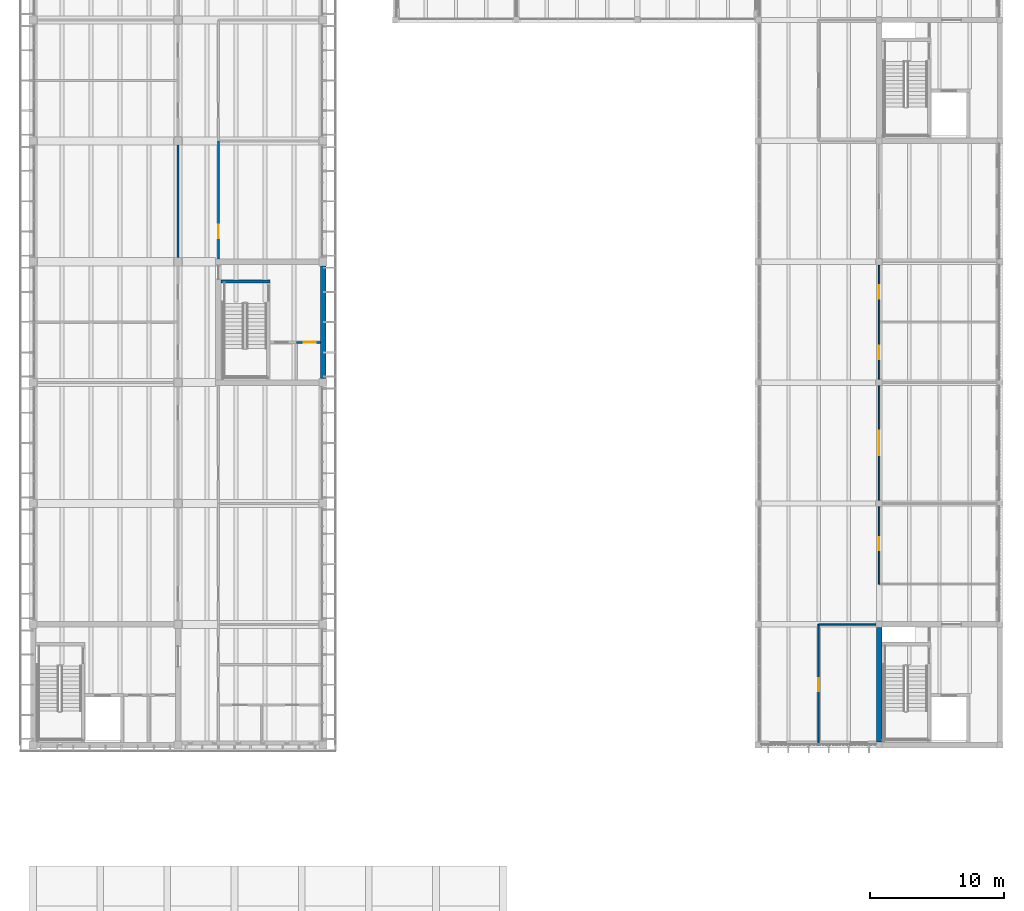
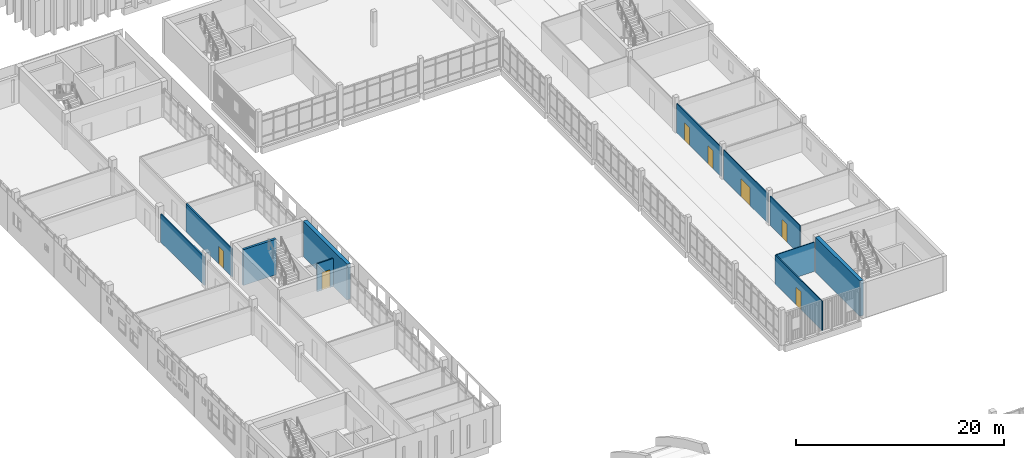
# One storey, part 53 of 88: 11 walls, 7 doors, 7 openings.
"""IFC4 building model written with IfcOpenShell, lengths in metres."""

from ifc_helpers import new_model, si_unit, direction, frame, frame_2d, origin, place, context, subcontext, project, spatial, rectangle, extrude, material, layer, layer_set, type_object, element, fill, save


model = new_model("IFC4")

# Units and contexts
model_context = context("Model", 3, precision=1e-05, world=origin(), true_north=direction((0.0, 1.0)))
body_context = subcontext(model_context, "Body", "Model", "MODEL_VIEW")
ifc_project = project(units=[si_unit("LENGTHUNIT", "METRE"), si_unit("AREAUNIT", "SQUARE_METRE"), si_unit("VOLUMEUNIT", "CUBIC_METRE"), si_unit("PLANEANGLEUNIT", "RADIAN"), si_unit("MASSUNIT", "GRAM", prefix="KILO")], contexts=[model_context])

# Site, building, storey
site_placement = place(None, origin())
site = spatial("IfcSite", under=ifc_project, at=site_placement, CompositionType="ELEMENT")
building_placement = place(site_placement, origin())
building = spatial("IfcBuilding", under=site, at=building_placement, Name="Merrow Basin Faculty of Sciences", CompositionType="ELEMENT")
storey_placement = place(building_placement, frame((0.0, 0.0, 9.0)))
storey = spatial("IfcBuildingStorey", under=building, at=storey_placement, Name="L02", CompositionType="ELEMENT", Elevation=9.0)

# Wall, opening, door
ifc_material_1 = material(Name="Fire-rated gypsum board")
ifc_layer_1 = layer(ifc_material_1, 0.14990234375)
ifc_layer_set_1 = layer_set([ifc_layer_1], Name="Corridor partition 150 fire-rated board on steel studs")
wall_type_1 = type_object("IfcWallType", Name="Corridor partition 150 fire-rated board on steel studs", PredefinedType="PARTITIONING", material=ifc_layer_set_1)
wall_1_placement = place(storey_placement, frame((13.800048828125, 97.199951171875, 0.0), z_axis=(0.0, 0.0, 1.0), x_axis=(0.0, 1.0, 0.0)))
wall_1 = element("IfcWall", 1, at=wall_1_placement, inside=storey, type_object=wall_type_1, Name="IW151 L02 007", PredefinedType="PARTITIONING", context=body_context, shape_type="SweptSolid", body=[
    extrude(rectangle(XDim=8.800048828125, YDim=0.14990234375, at=frame_2d((4.39990234375, 0.0))), origin(), (0.0, 0.0, 1.0), 3.300048828125),
])
opening_1_placement = place(wall_1_placement, frame((1.550048828125, 0.0, 0.0)))
opening_1 = element("IfcOpeningElement", 2, at=opening_1_placement, cuts=wall_1, Name="Opening D02B024", PredefinedType="OPENING", context=body_context, shape_type="SweptSolid", body=[
    extrude(rectangle(XDim=1.0, YDim=2.10009765625, at=frame_2d((0.5, 1.050048828125))), frame((0.0, 0.0849609375, 0.0), z_axis=(0.0, -1.0, 0.0), x_axis=(1.0, 0.0, 0.0)), (0.0, 0.0, 1.0), 0.169921875),
])
ifc_material_2 = material(Name="Timber door leaf", Category="wood")
door_type_1 = type_object("IfcDoorType", Name="Single swing door 1000 x 2100", OperationType="NOTDEFINED", PredefinedType="DOOR", material=ifc_material_2)
door_1_placement = place(opening_1_placement, origin())
door_1 = element("IfcDoor", 3, at=door_1_placement, inside=storey, type_object=door_type_1, Name="Door D02B024", OperationType="SINGLE_SWING_LEFT", OverallHeight=2.10009765625, OverallWidth=1.0, PredefinedType="DOOR", context=body_context, shape_type="SweptSolid", body=[
    extrude(rectangle(XDim=1.0, YDim=2.10009765625, at=frame_2d((0.5, 1.050048828125))), frame((0.0, 0.02490234375, 0.0), z_axis=(0.0, -1.0, 0.0), x_axis=(1.0, 0.0, 0.0)), (0.0, 0.0, 1.0), 0.050048828125),
])
fill(opening_1, door_1)

wall_2_placement = place(storey_placement, frame((19.60009765625, 91.0, 0.0), z_axis=(0.0, 0.0, 1.0), x_axis=(1.0, 0.0, 0.0)))
wall_2 = element("IfcWall", 4, at=wall_2_placement, inside=storey, type_object=wall_type_1, Name="IW151 L02 011", PredefinedType="PARTITIONING", context=body_context, shape_type="SweptSolid", body=[
    extrude(rectangle(XDim=1.7998046875, YDim=0.14990234375, at=frame_2d((0.89990234375, 0.0))), origin(), (0.0, 0.0, 1.0), 3.300048828125),
])
opening_2_placement = place(wall_2_placement, frame((0.550048828125, 0.0, 0.0)))
opening_2 = element("IfcOpeningElement", 5, at=opening_2_placement, cuts=wall_2, Name="Opening D02B008", PredefinedType="OPENING", context=body_context, shape_type="SweptSolid", body=[
    extrude(rectangle(XDim=0.89990234375, YDim=2.10009765625, at=frame_2d((0.449951171875, 1.050048828125))), frame((0.0, 0.0849609375, 0.0), z_axis=(0.0, -1.0, 0.0), x_axis=(1.0, 0.0, 0.0)), (0.0, 0.0, 1.0), 0.169921875),
])
ifc_material_3 = material(Name="Fire-rated steel door", Category="steel")
door_type_2 = type_object("IfcDoorType", Name="Fire door FD60 900 x 2100", OperationType="NOTDEFINED", PredefinedType="DOOR", material=ifc_material_3)
door_2_placement = place(opening_2_placement, origin())
door_2 = element("IfcDoor", 6, at=door_2_placement, inside=storey, type_object=door_type_2, Name="Door D02B008", OperationType="SINGLE_SWING_RIGHT", OverallHeight=2.10009765625, OverallWidth=0.89990234375, PredefinedType="DOOR", context=body_context, shape_type="SweptSolid", body=[
    extrude(rectangle(XDim=0.89990234375, YDim=2.10009765625, at=frame_2d((0.449951171875, 1.050048828125))), frame((0.0, 0.02490234375, 0.0), z_axis=(0.0, -1.0, 0.0), x_axis=(1.0, 0.0, 0.0)), (0.0, 0.0, 1.0), 0.050048828125),
])
fill(opening_2, door_2)

# Wall
ifc_material_4 = material(Name="Fire-rated gypsum board")
ifc_layer_2 = layer(ifc_material_4, 0.14990234375)
ifc_layer_set_2 = layer_set([ifc_layer_2], Name="Laboratory partition 150 fire-rated board on steel studs")
wall_type_2 = type_object("IfcWallType", Name="Laboratory partition 150 fire-rated board on steel studs", PredefinedType="PARTITIONING", material=ifc_layer_set_2)
wall_3_placement = place(storey_placement, frame((10.800048828125, 97.300048828125, 0.0), z_axis=(0.0, 0.0, 1.0), x_axis=(0.0, 1.0, 0.0)))
element("IfcWall", 7, at=wall_3_placement, inside=storey, type_object=wall_type_2, Name="IW150 L02 015", PredefinedType="PARTITIONING", context=body_context, shape_type="SweptSolid", body=[
    extrude(rectangle(XDim=8.39990234375, YDim=0.14990234375, at=frame_2d((4.199951171875, 0.0))), origin(), (0.0, 0.0, 1.0), 3.300048828125),
])

# Wall, opening, door
ifc_material_5 = material(Name="Gypsum board")
ifc_layer_3 = layer(ifc_material_5, 0.10009765625)
ifc_layer_set_3 = layer_set([ifc_layer_3], Name="Partition 100 gypsum board on steel studs")
wall_type_3 = type_object("IfcWallType", Name="Partition 100 gypsum board on steel studs", PredefinedType="PARTITIONING", material=ifc_layer_set_3)
wall_4_placement = place(storey_placement, frame((58.5, 61.0, 0.0), z_axis=(0.0, 0.0, 1.0), x_axis=(0.0, 1.0, 0.0)))
wall_4 = element("IfcWall", 8, at=wall_4_placement, inside=storey, type_object=wall_type_3, Name="IW100 L02 010", PredefinedType="PARTITIONING", context=body_context, shape_type="SweptSolid", body=[
    extrude(rectangle(XDim=9.0, YDim=0.10009765625, at=frame_2d((4.5, 0.0))), origin(), (0.0, 0.0, 1.0), 3.449951171875),
])
opening_3_placement = place(wall_4_placement, frame((4.0, 0.0, 0.0)))
opening_3 = element("IfcOpeningElement", 9, at=opening_3_placement, cuts=wall_4, Name="Opening D02C014", PredefinedType="OPENING", context=body_context, shape_type="SweptSolid", body=[
    extrude(rectangle(XDim=1.0, YDim=2.10009765625, at=frame_2d((0.5, 1.050048828125))), frame((0.0, 0.06005859375, 0.0), z_axis=(0.0, -1.0, 0.0), x_axis=(1.0, 0.0, 0.0)), (0.0, 0.0, 1.0), 0.1201171875),
])
door_3_placement = place(opening_3_placement, origin())
door_3 = element("IfcDoor", 10, at=door_3_placement, inside=storey, type_object=door_type_1, Name="Door D02C014", OperationType="SINGLE_SWING_LEFT", OverallHeight=2.10009765625, OverallWidth=1.0, PredefinedType="DOOR", context=body_context, shape_type="SweptSolid", body=[
    extrude(rectangle(XDim=1.0, YDim=2.10009765625, at=frame_2d((0.5, 1.050048828125))), frame((0.0, 0.02490234375, 0.0), z_axis=(0.0, -1.0, 0.0), x_axis=(1.0, 0.0, 0.0)), (0.0, 0.0, 1.0), 0.050048828125),
])
fill(opening_3, door_3)

wall_5_placement = place(storey_placement, frame((63.0, 79.22509765625, 0.0), z_axis=(0.0, 0.0, 1.0), x_axis=(0.0, 1.0, 0.0)))
wall_5 = element("IfcWall", 11, at=wall_5_placement, inside=storey, type_object=wall_type_3, Name="IW100 L02 012", PredefinedType="PARTITIONING", context=body_context, shape_type="SweptSolid", body=[
    extrude(rectangle(XDim=8.5498046875, YDim=0.10009765625, at=frame_2d((4.27490234375, 0.0))), origin(), (0.0, 0.0, 1.0), 3.449951171875),
])
opening_4_placement = place(wall_5_placement, frame((3.375, 0.0, 0.0)))
opening_4 = element("IfcOpeningElement", 12, at=opening_4_placement, cuts=wall_5, Name="Opening D02C017", PredefinedType="OPENING", context=body_context, shape_type="SweptSolid", body=[
    extrude(rectangle(XDim=1.800048828125, YDim=2.10009765625, at=frame_2d((0.89990234375, 1.050048828125))), frame((0.0, 0.06005859375, 0.0), z_axis=(0.0, -1.0, 0.0), x_axis=(1.0, 0.0, 0.0)), (0.0, 0.0, 1.0), 0.1201171875),
])
ifc_material_6 = material(Name="Glazed aluminium door", Category="aluminium")
door_type_3 = type_object("IfcDoorType", Name="Double swing door 1800 x 2100", OperationType="NOTDEFINED", PredefinedType="DOOR", material=ifc_material_6)
door_4_placement = place(opening_4_placement, origin())
door_4 = element("IfcDoor", 13, at=door_4_placement, inside=storey, type_object=door_type_3, Name="Door D02C017", OperationType="DOUBLE_DOOR_SINGLE_SWING", OverallHeight=2.10009765625, OverallWidth=1.800048828125, PredefinedType="DOOR", context=body_context, shape_type="SweptSolid", body=[
    extrude(rectangle(XDim=1.800048828125, YDim=2.10009765625, at=frame_2d((0.89990234375, 1.050048828125))), frame((0.0, 0.02490234375, 0.0), z_axis=(0.0, -1.0, 0.0), x_axis=(1.0, 0.0, 0.0)), (0.0, 0.0, 1.0), 0.050048828125),
])
fill(opening_4, door_4)

# Wall, openings, doors
wall_6_placement = place(storey_placement, frame((63.0, 88.22509765625, 0.0), z_axis=(0.0, 0.0, 1.0), x_axis=(0.0, 1.0, 0.0)))
wall_6 = element("IfcWall", 14, at=wall_6_placement, inside=storey, type_object=wall_type_3, Name="IW100 L02 013", PredefinedType="PARTITIONING", context=body_context, shape_type="SweptSolid", body=[
    extrude(rectangle(XDim=8.5498046875, YDim=0.10009765625, at=frame_2d((4.27490234375, 0.0))), origin(), (0.0, 0.0, 1.0), 3.449951171875),
])
opening_5_placement = place(wall_6_placement, frame((1.52490234375, 0.0, 0.0)))
opening_5 = element("IfcOpeningElement", 15, at=opening_5_placement, cuts=wall_6, Name="Opening D02C018", PredefinedType="OPENING", context=body_context, shape_type="SweptSolid", body=[
    extrude(rectangle(XDim=1.0, YDim=2.10009765625, at=frame_2d((0.5, 1.050048828125))), frame((0.0, 0.06005859375, 0.0), z_axis=(0.0, -1.0, 0.0), x_axis=(1.0, 0.0, 0.0)), (0.0, 0.0, 1.0), 0.1201171875),
])
opening_6_placement = place(wall_6_placement, frame((6.02490234375, 0.0, 0.0)))
opening_6 = element("IfcOpeningElement", 16, at=opening_6_placement, cuts=wall_6, Name="Opening D02C019", PredefinedType="OPENING", context=body_context, shape_type="SweptSolid", body=[
    extrude(rectangle(XDim=1.0, YDim=2.10009765625, at=frame_2d((0.5, 1.050048828125))), frame((0.0, 0.06005859375, 0.0), z_axis=(0.0, -1.0, 0.0), x_axis=(1.0, 0.0, 0.0)), (0.0, 0.0, 1.0), 0.1201171875),
])
door_5_placement = place(opening_5_placement, origin())
door_5 = element("IfcDoor", 17, at=door_5_placement, inside=storey, type_object=door_type_1, Name="Door D02C018", OperationType="SINGLE_SWING_LEFT", OverallHeight=2.10009765625, OverallWidth=1.0, PredefinedType="DOOR", context=body_context, shape_type="SweptSolid", body=[
    extrude(rectangle(XDim=1.0, YDim=2.10009765625, at=frame_2d((0.5, 1.050048828125))), frame((0.0, 0.02490234375, 0.0), z_axis=(0.0, -1.0, 0.0), x_axis=(1.0, 0.0, 0.0)), (0.0, 0.0, 1.0), 0.050048828125),
])
fill(opening_5, door_5)
door_6_placement = place(opening_6_placement, origin())
door_6 = element("IfcDoor", 18, at=door_6_placement, inside=storey, type_object=door_type_1, Name="Door D02C019", OperationType="SINGLE_SWING_LEFT", OverallHeight=2.10009765625, OverallWidth=1.0, PredefinedType="DOOR", context=body_context, shape_type="SweptSolid", body=[
    extrude(rectangle(XDim=1.0, YDim=2.10009765625, at=frame_2d((0.5, 1.050048828125))), frame((0.0, 0.02490234375, 0.0), z_axis=(0.0, -1.0, 0.0), x_axis=(1.0, 0.0, 0.0)), (0.0, 0.0, 1.0), 0.050048828125),
])
fill(opening_6, door_6)

# Wall, opening, door
wall_7_placement = place(storey_placement, frame((63.0, 73.0, 0.0), z_axis=(0.0, 0.0, 1.0), x_axis=(0.0, 1.0, 0.0)))
wall_7 = element("IfcWall", 19, at=wall_7_placement, inside=storey, type_object=wall_type_3, Name="IW100 L02 015", PredefinedType="PARTITIONING", context=body_context, shape_type="SweptSolid", body=[
    extrude(rectangle(XDim=5.77490234375, YDim=0.10009765625, at=frame_2d((2.887451171875, 0.0))), origin(), (0.0, 0.0, 1.0), 3.449951171875),
])
opening_7_placement = place(wall_7_placement, frame((2.5, 0.0, 0.0)))
opening_7 = element("IfcOpeningElement", 20, at=opening_7_placement, cuts=wall_7, Name="Opening D02C016", PredefinedType="OPENING", context=body_context, shape_type="SweptSolid", body=[
    extrude(rectangle(XDim=1.0, YDim=2.10009765625, at=frame_2d((0.5, 1.050048828125))), frame((0.0, 0.06005859375, 0.0), z_axis=(0.0, -1.0, 0.0), x_axis=(1.0, 0.0, 0.0)), (0.0, 0.0, 1.0), 0.1201171875),
])
door_7_placement = place(opening_7_placement, origin())
door_7 = element("IfcDoor", 21, at=door_7_placement, inside=storey, type_object=door_type_1, Name="Door D02C016", OperationType="SINGLE_SWING_LEFT", OverallHeight=2.10009765625, OverallWidth=1.0, PredefinedType="DOOR", context=body_context, shape_type="SweptSolid", body=[
    extrude(rectangle(XDim=1.0, YDim=2.10009765625, at=frame_2d((0.5, 1.050048828125))), frame((0.0, 0.02490234375, 0.0), z_axis=(0.0, -1.0, 0.0), x_axis=(1.0, 0.0, 0.0)), (0.0, 0.0, 1.0), 0.050048828125),
])
fill(opening_7, door_7)

# Walls
wall_8_placement = place(storey_placement, frame((58.5, 70.0, 0.0), z_axis=(0.0, 0.0, 1.0), x_axis=(1.0, 0.0, 0.0)))
element("IfcWall", 22, at=wall_8_placement, inside=storey, type_object=wall_type_3, Name="IW100 L02 016", PredefinedType="PARTITIONING", context=body_context, shape_type="SweptSolid", body=[
    extrude(rectangle(XDim=4.27490234375, YDim=0.10009765625, at=frame_2d((2.137451171875, 0.0))), origin(), (0.0, 0.0, 1.0), 3.449951171875),
])
ifc_material_7 = material(Name="Concrete C40/50", Category="concrete")
ifc_layer_4 = layer(ifc_material_7, 0.25)
ifc_layer_set_4 = layer_set([ifc_layer_4], Name="Shear wall 250 Concrete C40/50")
wall_type_4 = type_object("IfcWallType", Name="Shear wall 250 Concrete C40/50", PredefinedType="SHEAR", material=ifc_layer_set_4)
wall_9_placement = place(storey_placement, frame((14.0, 95.52490234375, 0.0), z_axis=(0.0, 0.0, 1.0), x_axis=(1.0, 0.0, 0.0)))
element("IfcWall", 23, at=wall_9_placement, inside=storey, type_object=wall_type_4, Name="SW2 L02 013", PredefinedType="SHEAR", context=body_context, shape_type="SweptSolid", body=[
    extrude(rectangle(XDim=3.64990234375, YDim=0.25, at=frame_2d((1.824951171875, 0.0))), origin(), (0.0, 0.0, 1.0), 4.199951171875),
])
ifc_material_8 = material(Name="Concrete C40/50", Category="concrete")
ifc_layer_5 = layer(ifc_material_8, 0.39990234375)
ifc_layer_set_5 = layer_set([ifc_layer_5], Name="Shear wall 400 Concrete C40/50")
wall_type_5 = type_object("IfcWallType", Name="Shear wall 400 Concrete C40/50", PredefinedType="SHEAR", material=ifc_layer_set_5)
wall_10_placement = place(storey_placement, frame((21.60009765625, 88.300048828125, 0.0), z_axis=(0.0, 0.0, 1.0), x_axis=(0.0, 1.0, 0.0)))
element("IfcWall", 24, at=wall_10_placement, inside=storey, type_object=wall_type_5, Name="SW1 L02 012", PredefinedType="SHEAR", context=body_context, shape_type="SweptSolid", body=[
    extrude(rectangle(XDim=8.39990234375, YDim=0.39990234375, at=frame_2d((4.199951171875, 0.0))), origin(), (0.0, 0.0, 1.0), 4.199951171875),
])
wall_11_placement = place(storey_placement, frame((63.0, 61.22509765625, 0.0), z_axis=(0.0, 0.0, 1.0), x_axis=(0.0, 1.0, 0.0)))
element("IfcWall", 25, at=wall_11_placement, inside=storey, type_object=wall_type_5, Name="SW1 L02 011", PredefinedType="SHEAR", context=body_context, shape_type="SweptSolid", body=[
    extrude(rectangle(XDim=8.5498046875, YDim=0.39990234375, at=frame_2d((4.27490234375, 0.0))), origin(), (0.0, 0.0, 1.0), 4.14990234375),
])

save(model, "model.ifc")
